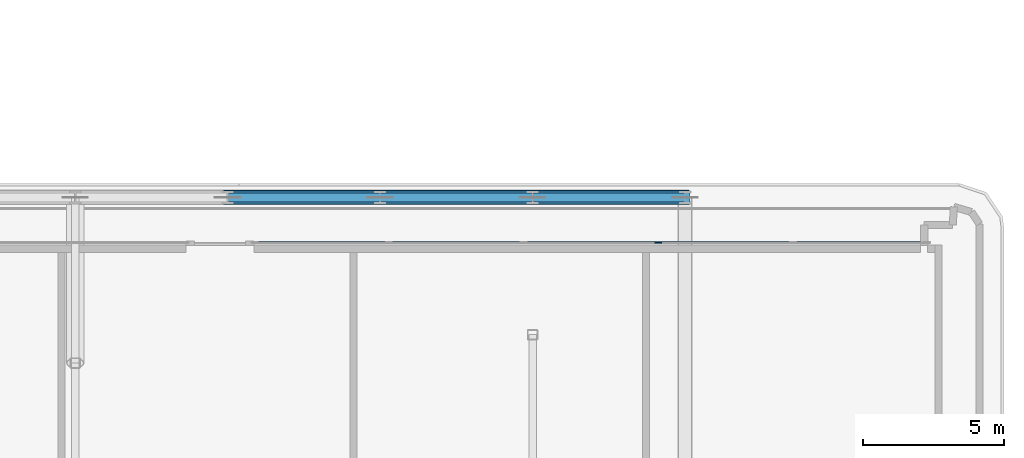
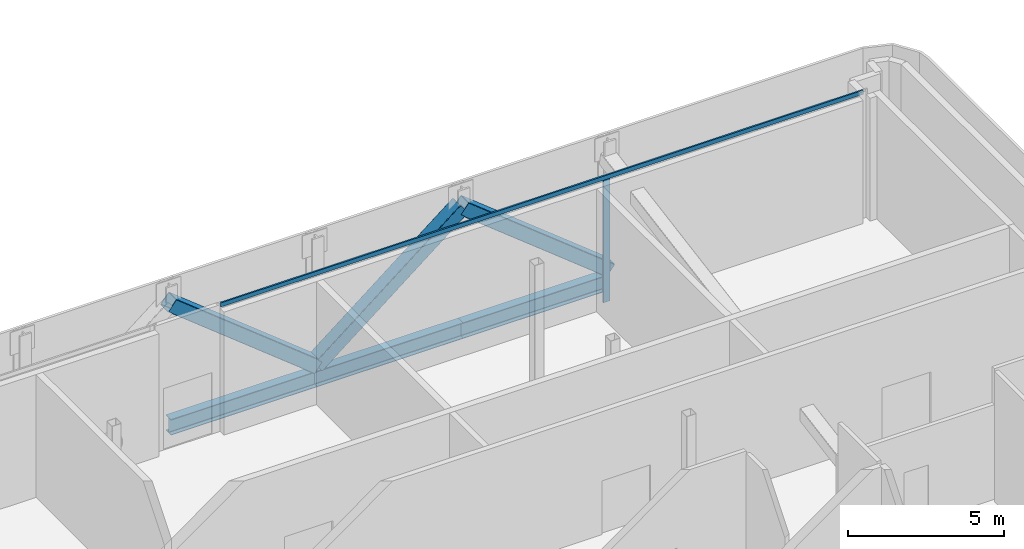
# One storey, part 8 of 30: 5 members, 3 beams, 1 element without a shape of its own.
"""IFC4 building model written with IfcOpenShell, lengths in metres."""

from ifc_helpers import new_model, si_unit, direction, frame, origin, origin_2d, place, context, subcontext, project, spatial, rectangle, hollow_rectangle, i_section, extrude, material, layer, layer_set, material_profile, profile_set, type_object, element, aggregate, save


model = new_model("IFC4")

# Units and contexts
model_context = context("Model", 3, precision=1e-05, world=origin(), true_north=direction((0.0, 1.0)))
body_context = subcontext(model_context, "Body", "Model", "MODEL_VIEW")
ifc_project = project(units=[si_unit("LENGTHUNIT", "METRE"), si_unit("AREAUNIT", "SQUARE_METRE"), si_unit("VOLUMEUNIT", "CUBIC_METRE"), si_unit("PLANEANGLEUNIT", "RADIAN"), si_unit("MASSUNIT", "GRAM", prefix="KILO")], contexts=[model_context])

# Site, building, storey
site_placement = place(None, origin())
site = spatial("IfcSite", under=ifc_project, at=site_placement, CompositionType="ELEMENT")
building_placement = place(site_placement, origin())
building = spatial("IfcBuilding", under=site, at=building_placement, Name="Kheshtan School and Residences Tower", CompositionType="ELEMENT")
storey_placement = place(building_placement, frame((0.0, 0.0, 89.0)))
storey = spatial("IfcBuildingStorey", under=building, at=storey_placement, Name="L20", CompositionType="ELEMENT", Elevation=89.0)

# Beams
ifc_material_1 = material(Name="Steel ASTM A992 Grade 50", Category="steel")
ifc_material_profile_1 = material_profile(ifc_material_1, i_section(OverallWidth=0.324951171875, OverallDepth=0.615966796875, WebThickness=0.013916015625, FlangeThickness=0.021484375, FilletRadius=0.0185546875, at=origin_2d()), Name="W610x174")
ifc_profile_set_1 = profile_set([ifc_material_profile_1], Name="Steel ASTM A992 Grade 50")
beam_type = type_object("IfcBeamType", Name="Beam SP5 W610x174 ASTM A992 Grade 50", PredefinedType="BEAM", material=ifc_profile_set_1)
for number, where, z_axis, x_axis, name in (
    (1, (74.60009765625, 45.60009765625, -0.4580078125), (1.0, 0.0, 0.0), (0.0, 1.0, 0.0), "Spandrel beam C065-C066"),
    (2, (80.0, 45.60009765625, -0.4580078125), (1.0, 0.0, 0.0), (0.0, 1.0, 0.0), "Spandrel beam C066-C067"),
):
    element("IfcBeam", number, at=place(storey_placement, frame(where, z_axis=z_axis, x_axis=x_axis)), inside=storey, type_object=beam_type, Name=name, PredefinedType="BEAM", context=body_context, shape_type="SweptSolid", body=[
        extrude(i_section(OverallWidth=0.324951171875, OverallDepth=0.615966796875, WebThickness=0.013916015625, FlangeThickness=0.021484375, FilletRadius=0.0185546875, at=origin_2d()), origin(), (0.0, 0.0, 1.0), 5.39990234375),
    ])
beam_placement = place(storey_placement, frame((85.39990234375, 45.60009765625, -0.4580078125), z_axis=(1.0, 0.0, 0.0), x_axis=(0.0, 1.0, 0.0)))
element("IfcBeam", 3, at=beam_placement, inside=storey, type_object=beam_type, Name="Spandrel beam C067-C068", PredefinedType="BEAM", context=body_context, shape_type="SweptSolid", body=[
    extrude(i_section(OverallWidth=0.324951171875, OverallDepth=0.615966796875, WebThickness=0.013916015625, FlangeThickness=0.021484375, FilletRadius=0.0185546875, at=origin_2d()), origin(), (0.0, 0.0, 1.0), 5.400146484375),
])

# Curtain wall, members
ifc_material_2 = material(Name="Clear low-e glass in thermally broken aluminium frame", Category="aluminium")
ifc_layer = layer(ifc_material_2, 0.25)
ifc_layer_set = layer_set([ifc_layer], Name="Curtain wall CW-G")
curtain_wall_type = type_object("IfcCurtainWallType", Name="Curtain wall CW-G", PredefinedType="NOTDEFINED", material=ifc_layer_set)
curtain_wall_placement = place(storey_placement, origin())
curtain_wall = element("IfcCurtainWall", 4, at=curtain_wall_placement, inside=storey, type_object=curtain_wall_type, Name="Curtain wall CWG5c", PredefinedType="NOTDEFINED")
ifc_material_3 = material(Name="Thermally broken aluminium, dark bronze anodised", Category="aluminium")
ifc_material_profile_2 = material_profile(ifc_material_3, rectangle(XDim=0.06005859375, YDim=0.25, at=origin_2d()), Name="CW-G mullion 60x250")
ifc_profile_set_2 = profile_set([ifc_material_profile_2], Name="Thermally broken aluminium, dark bronze anodised")
member_type_1 = type_object("IfcMemberType", Name="CW-G mullion 60x250", PredefinedType="MULLION", material=ifc_profile_set_2)
member_1_placement = place(storey_placement, frame((89.85205078125, 44.0, 0.0), z_axis=(0.0, 0.0, 1.0), x_axis=(0.0, 1.0, 0.0)))
member_1 = element("IfcMember", 5, at=member_1_placement, type_object=member_type_1, Name="CWG5c mullion 4", PredefinedType="MULLION", context=body_context, shape_type="SweptSolid", body=[
    extrude(rectangle(XDim=0.06005859375, YDim=0.25, at=origin_2d()), origin(), (0.0, 0.0, 1.0), 4.7900390625),
])
ifc_material_profile_3 = material_profile(ifc_material_3, rectangle(XDim=0.06005859375, YDim=0.159912109375, at=origin_2d()), Name="CW-G transom 60x160")
ifc_profile_set_3 = profile_set([ifc_material_profile_3], Name="Thermally broken aluminium, dark bronze anodised")
member_type_2 = type_object("IfcMemberType", Name="CW-G transom 60x160", PredefinedType="USERDEFINED", material=ifc_profile_set_3)
member_2_placement = place(storey_placement, frame((75.590087890625, 44.0, 4.8701171875), z_axis=(1.0, 0.0, 0.0), x_axis=(0.0, 1.0, 0.0)))
member_2 = element("IfcMember", 6, at=member_2_placement, type_object=member_type_2, Name="CWG5c transom 1", ObjectType="TRANSOM", PredefinedType="USERDEFINED", context=body_context, shape_type="SweptSolid", body=[
    extrude(rectangle(XDim=0.06005859375, YDim=0.159912109375, at=origin_2d()), origin(), (0.0, 0.0, 1.0), 23.75),
])
aggregate(curtain_wall, [member_1, member_2])

# Members
ifc_material_4 = material(Name="Steel ASTM A500 Grade C", Category="steel")
ifc_material_profile_4 = material_profile(ifc_material_4, hollow_rectangle(XDim=0.508056640625, YDim=0.508056640625, WallThickness=0.01904296875, InnerFilletRadius=0.01904296875, OuterFilletRadius=0.0380859375, at=origin_2d()), Name="HSS 508x508x19")
ifc_profile_set_4 = profile_set([ifc_material_profile_4], Name="Steel ASTM A500 Grade C")
member_type_3 = type_object("IfcMemberType", Name="Member BT2 HSS 508x508x19 ASTM A500 Grade C", PredefinedType="BRACE", material=ifc_profile_set_4)
for number, where, z_axis, x_axis, name in (
    (7, (80.0, 45.60009765625, 0.050048828125), (-0.782495277586, 0.0, 0.622656518922), (0.0, -1.0, 0.0), "Belt truss diagonal C065-C066"),
    (8, (80.0, 45.60009765625, 0.050048828125), (0.782495277586, 0.0, 0.622656518922), (0.0, 1.0, 0.0), "Belt truss diagonal C066-C067"),
):
    element("IfcMember", number, at=place(storey_placement, frame(where, z_axis=z_axis, x_axis=x_axis)), inside=storey, type_object=member_type_3, Name=name, PredefinedType="BRACE", context=body_context, shape_type="SweptSolid", body=[
        extrude(hollow_rectangle(XDim=0.508056640625, YDim=0.508056640625, WallThickness=0.01904296875, InnerFilletRadius=0.01904296875, OuterFilletRadius=0.0380859375, at=origin_2d()), origin(), (0.0, 0.0, 1.0), 6.90087890625),
    ])
member_3_placement = place(storey_placement, frame((90.800048828125, 45.60009765625, 0.050048828125), z_axis=(-0.782508993189, 0.0, 0.622639282071), x_axis=(0.0, -1.0, 0.0)))
element("IfcMember", 9, at=member_3_placement, inside=storey, type_object=member_type_3, Name="Belt truss diagonal C067-C068", PredefinedType="BRACE", context=body_context, shape_type="SweptSolid", body=[
    extrude(hollow_rectangle(XDim=0.508056640625, YDim=0.508056640625, WallThickness=0.01904296875, InnerFilletRadius=0.01904296875, OuterFilletRadius=0.0380859375, at=origin_2d()), origin(), (0.0, 0.0, 1.0), 6.901123046875),
])

save(model, "model.ifc")
